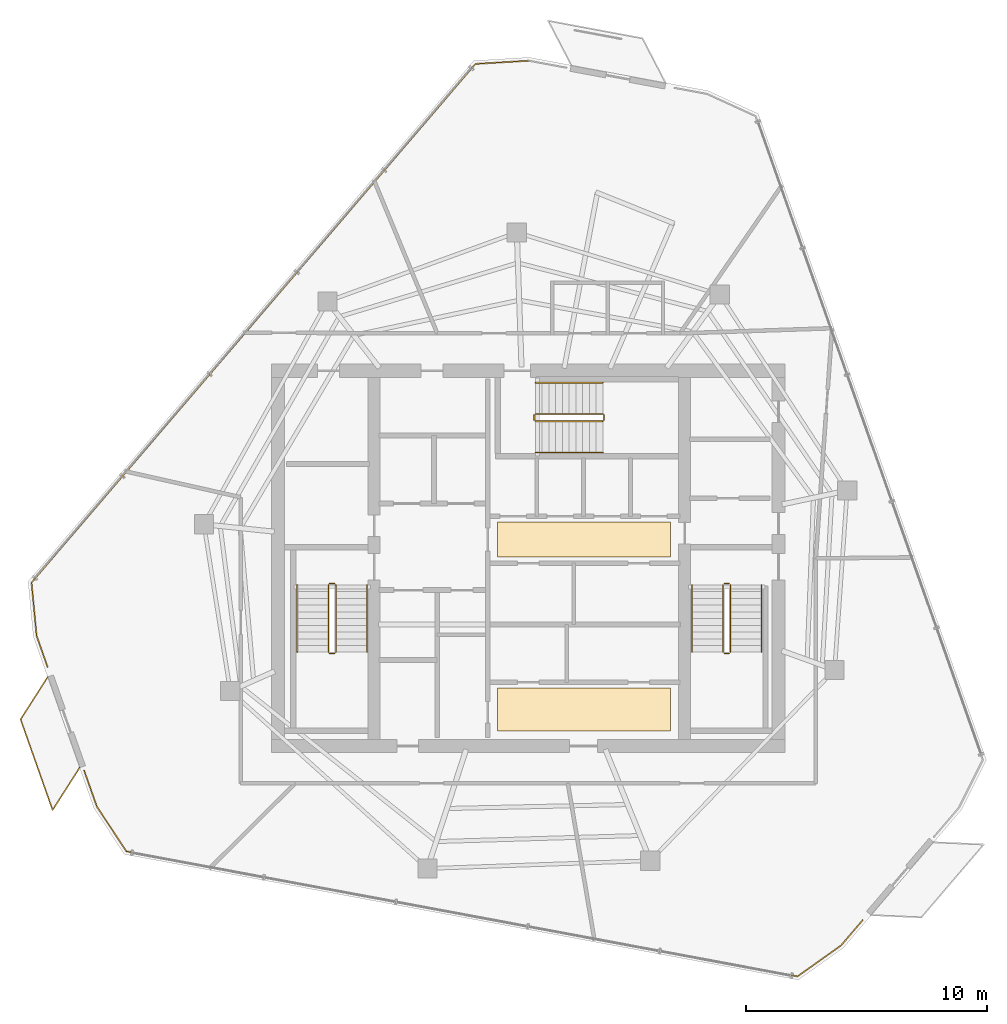
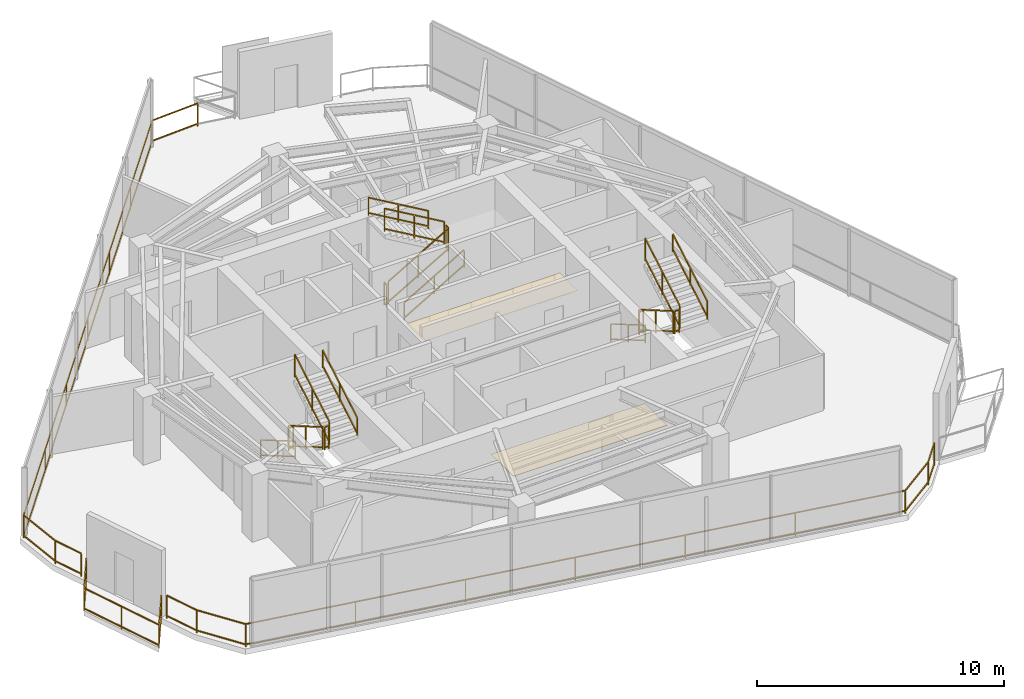
# One storey, part 17 of 18: 21 railings, 2 coverings.
"""IFC4 building model written with IfcOpenShell, lengths in metres."""

from ifc_helpers import new_model, si_unit, direction, frame, origin, origin_2d, place, context, subcontext, project, spatial, rectangle, extrude, material, layer, layer_set, type_object, element, save


model = new_model("IFC4")

# Units and contexts
model_context = context("Model", 3, precision=1e-05, world=origin(), true_north=direction((0.0, 1.0)))
body_context = subcontext(model_context, "Body", "Model", "MODEL_VIEW")
ifc_project = project(units=[si_unit("LENGTHUNIT", "METRE"), si_unit("AREAUNIT", "SQUARE_METRE"), si_unit("VOLUMEUNIT", "CUBIC_METRE"), si_unit("PLANEANGLEUNIT", "RADIAN"), si_unit("MASSUNIT", "GRAM", prefix="KILO")], contexts=[model_context])

# Site, building, storey
site_placement = place(None, origin())
site = spatial("IfcSite", under=ifc_project, at=site_placement, CompositionType="ELEMENT")
building_placement = place(site_placement, origin())
building = spatial("IfcBuilding", under=site, at=building_placement, Name="Qarnah Convention Tower", CompositionType="ELEMENT")
storey_placement = place(building_placement, frame((0.0, 0.0, 253.5)))
storey = spatial("IfcBuildingStorey", under=building, at=storey_placement, Name="L68", CompositionType="ELEMENT", Elevation=253.5)

# Coverings
ifc_material_1 = material(Name="Mineral fibre acoustic ceiling")
ifc_layer_1 = layer(ifc_material_1, 0.02001953125)
ifc_layer_set_1 = layer_set([ifc_layer_1], Name="Mineral fibre acoustic ceiling")
covering_type_1 = type_object("IfcCoveringType", Name="COV-CEIL-20", PredefinedType="CEILING", material=ifc_layer_set_1)
covering_1_placement = place(storey_placement, frame((39.52001953125, 27.179931640625, 2.2900390625), z_axis=(0.0, 0.0, 1.0), x_axis=(1.0, 0.0, 0.0)))
element("IfcCovering", 1, at=covering_1_placement, inside=storey, type_object=covering_type_1, Name="L68 lift lobby acoustic ceiling", PredefinedType="CEILING", context=body_context, shape_type="SweptSolid", body=[
    extrude(rectangle(XDim=7.199951171875, YDim=1.449951171875, at=origin_2d()), origin(), (0.0, 0.0, 1.0), 0.02001953125),
])
ifc_material_2 = material(Name="Porcelain stone floor tile", Category="masonry")
ifc_layer_2 = layer(ifc_material_2, 0.02001953125)
ifc_layer_set_2 = layer_set([ifc_layer_2], Name="Porcelain stone floor tile")
covering_type_2 = type_object("IfcCoveringType", Name="COV-FLOOR-20", PredefinedType="FLOORING", material=ifc_layer_set_2)
covering_2_placement = place(storey_placement, frame((39.52001953125, 20.1201171875, 0.0), z_axis=(0.0, 0.0, 1.0), x_axis=(1.0, 0.0, 0.0)))
element("IfcCovering", 2, at=covering_2_placement, inside=storey, type_object=covering_type_2, Name="L68 lift lobby porcelain stone flooring", PredefinedType="FLOORING", context=body_context, shape_type="SweptSolid", body=[
    extrude(rectangle(XDim=7.199951171875, YDim=1.800048828125, at=origin_2d()), origin(), (0.0, 0.0, 1.0), 0.02001953125),
])

# Railings
ifc_material_3 = material(Name="Black anodised aluminium", Category="aluminium")
railing_type_1 = type_object("IfcRailingType", Name="RL-EXT-GUARD-1150", PredefinedType="GUARDRAIL", material=ifc_material_3)
railing_1_placement = place(storey_placement, frame((51.097900390625, 11.364990234375, 0.0)))
element("IfcRailing", 3, at=railing_1_placement, inside=storey, type_object=railing_type_1, Name="L68 slab-edge perimeter safety guard 03", PredefinedType="GUARDRAIL", context=body_context, shape_type="SweptSolid", body=[
    extrude(rectangle(XDim=0.048095703125, YDim=0.048095703125, at=origin_2d()), frame((0.0, 0.0, 1.1259765625), z_axis=(-0.650267061067, -0.759705699131, 0.0), x_axis=(0.759705699131, -0.650267061067, 0.0)), (0.0, 0.0, 1.0), 1.380859375),
    extrude(rectangle(XDim=0.048095703125, YDim=0.048095703125, at=origin_2d()), frame((0.0, 0.0, 0.1201171875), z_axis=(-0.650267061067, -0.759705699131, 0.0), x_axis=(0.759705699131, -0.650267061067, 0.0)), (0.0, 0.0, 1.0), 1.380859375),
    extrude(rectangle(XDim=0.048095703125, YDim=0.048095703125, at=origin_2d()), frame((-0.89794921875, -1.049072265625, 1.1259765625), z_axis=(-0.815016468028, -0.579437793765, 0.0), x_axis=(0.579437793765, -0.815016468028, 0.0)), (0.0, 0.0, 1.0), 2.220947265625),
    extrude(rectangle(XDim=0.048095703125, YDim=0.048095703125, at=origin_2d()), frame((-0.89794921875, -1.049072265625, 0.1201171875), z_axis=(-0.815016468028, -0.579437793765, 0.0), x_axis=(0.579437793765, -0.815016468028, 0.0)), (0.0, 0.0, 1.0), 2.220947265625),
    extrude(rectangle(XDim=0.048095703125, YDim=0.048095703125, at=origin_2d()), frame((-2.7080078125, -2.3359375, 1.1259765625), z_axis=(-0.983063294931, 0.183266358504, 0.0), x_axis=(-0.183266358504, -0.983063294931, 0.0)), (0.0, 0.0, 1.0), 28.368408203125),
    extrude(rectangle(XDim=0.048095703125, YDim=0.048095703125, at=origin_2d()), frame((-2.7080078125, -2.3359375, 0.1201171875), z_axis=(-0.983063294931, 0.183266358504, 0.0), x_axis=(-0.183266358504, -0.983063294931, 0.0)), (0.0, 0.0, 1.0), 28.368408203125),
    extrude(rectangle(XDim=0.048095703125, YDim=0.048095703125, at=origin_2d()), frame((-30.595947265625, 2.863037109375, 1.1259765625), z_axis=(-0.551117864993, 0.834427407799, 0.0), x_axis=(-0.834427407799, -0.551117864993, 0.0)), (0.0, 0.0, 1.0), 2.220703125),
    extrude(rectangle(XDim=0.048095703125, YDim=0.048095703125, at=origin_2d()), frame((-30.595947265625, 2.863037109375, 0.1201171875), z_axis=(-0.551117864993, 0.834427407799, 0.0), x_axis=(-0.834427407799, -0.551117864993, 0.0)), (0.0, 0.0, 1.0), 2.220703125),
    extrude(rectangle(XDim=0.048095703125, YDim=0.048095703125, at=origin_2d()), frame((-31.81982421875, 4.716064453125, 1.1259765625), z_axis=(-0.332972542443, 0.942936522773, 0.0), x_axis=(-0.942936522773, -0.332972542443, 0.0)), (0.0, 0.0, 1.0), 1.591796875),
    extrude(rectangle(XDim=0.048095703125, YDim=0.048095703125, at=origin_2d()), frame((-31.81982421875, 4.716064453125, 0.1201171875), z_axis=(-0.332972542443, 0.942936522773, 0.0), x_axis=(-0.942936522773, -0.332972542443, 0.0)), (0.0, 0.0, 1.0), 1.591796875),
    extrude(rectangle(XDim=0.0419921875, YDim=0.0419921875, at=origin_2d()), origin(), (0.0, 0.0, 1.0), 1.101806640625),
    extrude(rectangle(XDim=0.0419921875, YDim=0.0419921875, at=origin_2d()), frame((-0.89794921875, -1.049072265625, 0.0)), (0.0, 0.0, 1.0), 1.101806640625),
    extrude(rectangle(XDim=0.0419921875, YDim=0.0419921875, at=origin_2d()), frame((-2.7080078125, -2.3359375, 0.0)), (0.0, 0.0, 1.0), 1.101806640625),
    extrude(rectangle(XDim=0.0419921875, YDim=0.0419921875, at=origin_2d()), frame((-7.35595703125, -1.469482421875, 0.0)), (0.0, 0.0, 1.0), 1.101806640625),
    extrude(rectangle(XDim=0.0419921875, YDim=0.0419921875, at=origin_2d()), frame((-12.00390625, -0.60302734375, 0.0)), (0.0, 0.0, 1.0), 1.101806640625),
    extrude(rectangle(XDim=0.0419921875, YDim=0.0419921875, at=origin_2d()), frame((-16.65185546875, 0.263671875, 0.0)), (0.0, 0.0, 1.0), 1.101806640625),
    extrude(rectangle(XDim=0.0419921875, YDim=0.0419921875, at=origin_2d()), frame((-21.300048828125, 1.130126953125, 0.0)), (0.0, 0.0, 1.0), 1.101806640625),
    extrude(rectangle(XDim=0.0419921875, YDim=0.0419921875, at=origin_2d()), frame((-25.947998046875, 1.99658203125, 0.0)), (0.0, 0.0, 1.0), 1.101806640625),
    extrude(rectangle(XDim=0.0419921875, YDim=0.0419921875, at=origin_2d()), frame((-30.595947265625, 2.863037109375, 0.0)), (0.0, 0.0, 1.0), 1.101806640625),
    extrude(rectangle(XDim=0.0419921875, YDim=0.0419921875, at=origin_2d()), frame((-31.81982421875, 4.716064453125, 0.0)), (0.0, 0.0, 1.0), 1.101806640625),
    extrude(rectangle(XDim=0.0419921875, YDim=0.0419921875, at=origin_2d()), frame((-32.349853515625, 6.217041015625, 0.0)), (0.0, 0.0, 1.0), 1.101806640625),
])
railing_2_placement = place(storey_placement, frame((17.23095703125, 21.881103515625, 0.0)))
element("IfcRailing", 4, at=railing_2_placement, inside=storey, type_object=railing_type_1, Name="L68 slab-edge perimeter safety guard 04", PredefinedType="GUARDRAIL", context=body_context, shape_type="SweptSolid", body=[
    extrude(rectangle(XDim=0.048095703125, YDim=0.048095703125, at=origin_2d()), frame((0.0, 0.0, 1.1259765625), z_axis=(-0.332468581186, 0.943114331629, 0.0), x_axis=(-0.943114331629, -0.332468581186, 0.0)), (0.0, 0.0, 1.0), 1.380615234375),
    extrude(rectangle(XDim=0.048095703125, YDim=0.048095703125, at=origin_2d()), frame((0.0, 0.0, 0.1201171875), z_axis=(-0.332468581186, 0.943114331629, 0.0), x_axis=(-0.943114331629, -0.332468581186, 0.0)), (0.0, 0.0, 1.0), 1.380615234375),
    extrude(rectangle(XDim=0.048095703125, YDim=0.048095703125, at=origin_2d()), frame((-0.458984375, 1.302001953125, 1.1259765625), z_axis=(-0.094975090219, 0.995479649334, 0.0), x_axis=(-0.995479649334, -0.094975090219, 0.0)), (0.0, 0.0, 1.0), 2.220947265625),
    extrude(rectangle(XDim=0.048095703125, YDim=0.048095703125, at=origin_2d()), frame((-0.458984375, 1.302001953125, 0.1201171875), z_axis=(-0.094975090219, 0.995479649334, 0.0), x_axis=(-0.995479649334, -0.094975090219, 0.0)), (0.0, 0.0, 1.0), 2.220947265625),
    extrude(rectangle(XDim=0.048095703125, YDim=0.048095703125, at=origin_2d()), frame((-0.669921875, 3.512939453125, 1.1259765625), z_axis=(0.650243370859, 0.759725976029, 0.0), x_axis=(-0.759725976029, 0.650243370859, 0.0)), (0.0, 0.0, 1.0), 28.369384765625),
    extrude(rectangle(XDim=0.048095703125, YDim=0.048095703125, at=origin_2d()), frame((-0.669921875, 3.512939453125, 0.1201171875), z_axis=(0.650243370859, 0.759725976029, 0.0), x_axis=(-0.759725976029, 0.650243370859, 0.0)), (0.0, 0.0, 1.0), 28.369384765625),
    extrude(rectangle(XDim=0.048095703125, YDim=0.048095703125, at=origin_2d()), frame((17.777099609375, 25.06591796875, 1.1259765625), z_axis=(0.998202346264, 0.059933929571, 0.0), x_axis=(-0.059933929571, 0.998202346264, 0.0)), (0.0, 0.0, 1.0), 2.219970703125),
    extrude(rectangle(XDim=0.048095703125, YDim=0.048095703125, at=origin_2d()), frame((17.777099609375, 25.06591796875, 0.1201171875), z_axis=(0.998202346264, 0.059933929571, 0.0), x_axis=(-0.059933929571, 0.998202346264, 0.0)), (0.0, 0.0, 1.0), 2.219970703125),
    extrude(rectangle(XDim=0.0419921875, YDim=0.0419921875, at=origin_2d()), origin(), (0.0, 0.0, 1.0), 1.101806640625),
    extrude(rectangle(XDim=0.0419921875, YDim=0.0419921875, at=origin_2d()), frame((-0.458984375, 1.302001953125, 0.0)), (0.0, 0.0, 1.0), 1.101806640625),
    extrude(rectangle(XDim=0.0419921875, YDim=0.0419921875, at=origin_2d()), frame((-0.669921875, 3.512939453125, 0.0)), (0.0, 0.0, 1.0), 1.101806640625),
    extrude(rectangle(XDim=0.0419921875, YDim=0.0419921875, at=origin_2d()), frame((2.404541015625, 7.10498046875, 0.0)), (0.0, 0.0, 1.0), 1.101806640625),
    extrude(rectangle(XDim=0.0419921875, YDim=0.0419921875, at=origin_2d()), frame((5.47900390625, 10.697265625, 0.0)), (0.0, 0.0, 1.0), 1.101806640625),
    extrude(rectangle(XDim=0.0419921875, YDim=0.0419921875, at=origin_2d()), frame((8.5537109375, 14.28955078125, 0.0)), (0.0, 0.0, 1.0), 1.101806640625),
    extrude(rectangle(XDim=0.0419921875, YDim=0.0419921875, at=origin_2d()), frame((11.628173828125, 17.881591796875, 0.0)), (0.0, 0.0, 1.0), 1.101806640625),
    extrude(rectangle(XDim=0.0419921875, YDim=0.0419921875, at=origin_2d()), frame((14.70263671875, 21.4736328125, 0.0)), (0.0, 0.0, 1.0), 1.101806640625),
    extrude(rectangle(XDim=0.0419921875, YDim=0.0419921875, at=origin_2d()), frame((17.777099609375, 25.06591796875, 0.0)), (0.0, 0.0, 1.0), 1.101806640625),
    extrude(rectangle(XDim=0.0419921875, YDim=0.0419921875, at=origin_2d()), frame((19.9931640625, 25.198974609375, 0.0)), (0.0, 0.0, 1.0), 1.101806640625),
])
railing_3_placement = place(storey_placement, frame((18.56298828125, 17.700927734375, 0.0)))
element("IfcRailing", 5, at=railing_3_placement, inside=storey, type_object=railing_type_1, Name="L68 balcony safety guard BAL-L68-C2", PredefinedType="GUARDRAIL", context=body_context, shape_type="SweptSolid", body=[
    extrude(rectangle(XDim=0.048095703125, YDim=0.048095703125, at=origin_2d()), frame((0.0, 0.0, 1.1259765625), z_axis=(-0.538391577864, -0.842694789876, 0.0), x_axis=(0.842694789876, -0.538391577864, 0.0)), (0.0, 0.0, 1.0), 2.09326171875),
    extrude(rectangle(XDim=0.048095703125, YDim=0.048095703125, at=origin_2d()), frame((0.0, 0.0, 0.1201171875), z_axis=(-0.538391577864, -0.842694789876, 0.0), x_axis=(0.842694789876, -0.538391577864, 0.0)), (0.0, 0.0, 1.0), 2.09326171875),
    extrude(rectangle(XDim=0.048095703125, YDim=0.048095703125, at=origin_2d()), frame((-1.126953125, -1.763916015625, 1.1259765625), z_axis=(-0.332769034693, 0.943008361336, 0.0), x_axis=(-0.943008361336, -0.332769034693, 0.0)), (0.0, 0.0, 1.0), 4.0),
    extrude(rectangle(XDim=0.048095703125, YDim=0.048095703125, at=origin_2d()), frame((-1.126953125, -1.763916015625, 0.1201171875), z_axis=(-0.332769034693, 0.943008361336, 0.0), x_axis=(-0.943008361336, -0.332769034693, 0.0)), (0.0, 0.0, 1.0), 4.0),
    extrude(rectangle(XDim=0.048095703125, YDim=0.048095703125, at=origin_2d()), frame((-2.4580078125, 2.008056640625, 1.1259765625), z_axis=(0.538391577864, 0.842694789876, 0.0), x_axis=(-0.842694789876, 0.538391577864, 0.0)), (0.0, 0.0, 1.0), 2.09326171875),
    extrude(rectangle(XDim=0.048095703125, YDim=0.048095703125, at=origin_2d()), frame((-2.4580078125, 2.008056640625, 0.1201171875), z_axis=(0.538391577864, 0.842694789876, 0.0), x_axis=(-0.842694789876, 0.538391577864, 0.0)), (0.0, 0.0, 1.0), 2.09326171875),
    extrude(rectangle(XDim=0.0419921875, YDim=0.0419921875, at=origin_2d()), origin(), (0.0, 0.0, 1.0), 1.101806640625),
    extrude(rectangle(XDim=0.0419921875, YDim=0.0419921875, at=origin_2d()), frame((-1.126953125, -1.763916015625, 0.0)), (0.0, 0.0, 1.0), 1.101806640625),
    extrude(rectangle(XDim=0.0419921875, YDim=0.0419921875, at=origin_2d()), frame((-1.79248046875, 0.1220703125, 0.0)), (0.0, 0.0, 1.0), 1.101806640625),
    extrude(rectangle(XDim=0.0419921875, YDim=0.0419921875, at=origin_2d()), frame((-2.4580078125, 2.008056640625, 0.0)), (0.0, 0.0, 1.0), 1.101806640625),
    extrude(rectangle(XDim=0.0419921875, YDim=0.0419921875, at=origin_2d()), frame((-1.3310546875, 3.77197265625, 0.0)), (0.0, 0.0, 1.0), 1.101806640625),
])
ifc_material_4 = material(Name="Structural steel S355JR", Category="steel")
railing_type_2 = type_object("IfcRailingType", Name="RL-STAIR-GUARD-1150", PredefinedType="GUARDRAIL", material=ifc_material_4)
railing_4_placement = place(storey_placement, frame((28.89990234375, 25.300048828125, 0.16357421875)))
element("IfcRailing", 6, at=railing_4_placement, inside=storey, type_object=railing_type_2, Name="L68 ST-1 stair guard 1", PredefinedType="GUARDRAIL", context=body_context, shape_type="SweptSolid", body=[
    extrude(rectangle(XDim=0.048095703125, YDim=0.048095703125, at=origin_2d()), frame((0.0, 0.0, 1.1259765625), z_axis=(0.0, -0.863360870873, 0.504586966384), x_axis=(1.0, 0.0, 0.0)), (0.0, 0.0, 1.0), 3.2431640625),
    extrude(rectangle(XDim=0.048095703125, YDim=0.048095703125, at=origin_2d()), frame((0.0, 0.0, 0.1201171875), z_axis=(0.0, -0.863360870873, 0.504586966384), x_axis=(1.0, 0.0, 0.0)), (0.0, 0.0, 1.0), 3.2431640625),
    extrude(rectangle(XDim=0.0419921875, YDim=0.0419921875, at=origin_2d()), origin(), (0.0, 0.0, 1.0), 1.101806640625),
    extrude(rectangle(XDim=0.0419921875, YDim=0.0419921875, at=origin_2d()), frame((0.0, -1.39990234375, 0.818359375)), (0.0, 0.0, 1.0), 1.101806640625),
    extrude(rectangle(XDim=0.0419921875, YDim=0.0419921875, at=origin_2d()), frame((0.0, -2.800048828125, 1.636474609375)), (0.0, 0.0, 1.0), 1.101806640625),
])
railing_5_placement = place(storey_placement, frame((28.949951171875, 22.449951171875, 1.800048828125)))
element("IfcRailing", 7, at=railing_5_placement, inside=storey, type_object=railing_type_2, Name="L68 ST-1 stair guard 2", PredefinedType="GUARDRAIL", context=body_context, shape_type="SweptSolid", body=[
    extrude(rectangle(XDim=0.048095703125, YDim=0.048095703125, at=origin_2d()), frame((0.0, 0.0, 1.1259765625), z_axis=(1.0, 0.0, 0.0), x_axis=(0.0, 1.0, 0.0)), (0.0, 0.0, 1.0), 0.199951171875),
    extrude(rectangle(XDim=0.048095703125, YDim=0.048095703125, at=origin_2d()), frame((0.0, 0.0, 0.1201171875), z_axis=(1.0, 0.0, 0.0), x_axis=(0.0, 1.0, 0.0)), (0.0, 0.0, 1.0), 0.199951171875),
    extrude(rectangle(XDim=0.0419921875, YDim=0.0419921875, at=origin_2d()), origin(), (0.0, 0.0, 1.0), 1.101806640625),
    extrude(rectangle(XDim=0.0419921875, YDim=0.0419921875, at=origin_2d()), frame((0.199951171875, 0.0, 0.0)), (0.0, 0.0, 1.0), 1.101806640625),
])
railing_6_placement = place(storey_placement, frame((29.199951171875, 22.5, 1.963623046875)))
element("IfcRailing", 8, at=railing_6_placement, inside=storey, type_object=railing_type_2, Name="L68 ST-1 stair guard 3", PredefinedType="GUARDRAIL", context=body_context, shape_type="SweptSolid", body=[
    extrude(rectangle(XDim=0.048095703125, YDim=0.048095703125, at=origin_2d()), frame((0.0, 0.0, 1.1259765625), z_axis=(0.0, 0.863360870873, 0.504586966384), x_axis=(-1.0, 0.0, 0.0)), (0.0, 0.0, 1.0), 3.2431640625),
    extrude(rectangle(XDim=0.048095703125, YDim=0.048095703125, at=origin_2d()), frame((0.0, 0.0, 0.1201171875), z_axis=(0.0, 0.863360870873, 0.504586966384), x_axis=(-1.0, 0.0, 0.0)), (0.0, 0.0, 1.0), 3.2431640625),
    extrude(rectangle(XDim=0.0419921875, YDim=0.0419921875, at=origin_2d()), origin(), (0.0, 0.0, 1.0), 1.101806640625),
    extrude(rectangle(XDim=0.0419921875, YDim=0.0419921875, at=origin_2d()), frame((0.0, 1.39990234375, 0.818359375)), (0.0, 0.0, 1.0), 1.101806640625),
    extrude(rectangle(XDim=0.0419921875, YDim=0.0419921875, at=origin_2d()), frame((0.0, 2.800048828125, 1.636474609375)), (0.0, 0.0, 1.0), 1.101806640625),
])
railing_7_placement = place(storey_placement, frame((28.949951171875, 25.35009765625, 0.0)))
element("IfcRailing", 9, at=railing_7_placement, inside=storey, type_object=railing_type_2, Name="L68 ST-1 stair guard 4", PredefinedType="GUARDRAIL", context=body_context, shape_type="SweptSolid", body=[
    extrude(rectangle(XDim=0.048095703125, YDim=0.048095703125, at=origin_2d()), frame((0.0, 0.0, 1.1259765625), z_axis=(1.0, 0.0, 0.0), x_axis=(0.0, 1.0, 0.0)), (0.0, 0.0, 1.0), 0.199951171875),
    extrude(rectangle(XDim=0.048095703125, YDim=0.048095703125, at=origin_2d()), frame((0.0, 0.0, 0.1201171875), z_axis=(1.0, 0.0, 0.0), x_axis=(0.0, 1.0, 0.0)), (0.0, 0.0, 1.0), 0.199951171875),
    extrude(rectangle(XDim=0.0419921875, YDim=0.0419921875, at=origin_2d()), origin(), (0.0, 0.0, 1.0), 1.101806640625),
    extrude(rectangle(XDim=0.0419921875, YDim=0.0419921875, at=origin_2d()), frame((0.199951171875, 0.0, 0.0)), (0.0, 0.0, 1.0), 1.101806640625),
])
railing_8_placement = place(storey_placement, frame((45.300048828125, 25.300048828125, 0.16357421875)))
element("IfcRailing", 10, at=railing_8_placement, inside=storey, type_object=railing_type_2, Name="L68 ST-2 stair guard 1", PredefinedType="GUARDRAIL", context=body_context, shape_type="SweptSolid", body=[
    extrude(rectangle(XDim=0.048095703125, YDim=0.048095703125, at=origin_2d()), frame((0.0, 0.0, 1.1259765625), z_axis=(0.0, -0.863360870873, 0.504586966384), x_axis=(1.0, 0.0, 0.0)), (0.0, 0.0, 1.0), 3.2431640625),
    extrude(rectangle(XDim=0.048095703125, YDim=0.048095703125, at=origin_2d()), frame((0.0, 0.0, 0.1201171875), z_axis=(0.0, -0.863360870873, 0.504586966384), x_axis=(1.0, 0.0, 0.0)), (0.0, 0.0, 1.0), 3.2431640625),
    extrude(rectangle(XDim=0.0419921875, YDim=0.0419921875, at=origin_2d()), origin(), (0.0, 0.0, 1.0), 1.101806640625),
    extrude(rectangle(XDim=0.0419921875, YDim=0.0419921875, at=origin_2d()), frame((0.0, -1.39990234375, 0.818359375)), (0.0, 0.0, 1.0), 1.101806640625),
    extrude(rectangle(XDim=0.0419921875, YDim=0.0419921875, at=origin_2d()), frame((0.0, -2.800048828125, 1.636474609375)), (0.0, 0.0, 1.0), 1.101806640625),
])
railing_9_placement = place(storey_placement, frame((45.35009765625, 22.449951171875, 1.800048828125)))
element("IfcRailing", 11, at=railing_9_placement, inside=storey, type_object=railing_type_2, Name="L68 ST-2 stair guard 2", PredefinedType="GUARDRAIL", context=body_context, shape_type="SweptSolid", body=[
    extrude(rectangle(XDim=0.048095703125, YDim=0.048095703125, at=origin_2d()), frame((0.0, 0.0, 1.1259765625), z_axis=(1.0, 0.0, 0.0), x_axis=(0.0, 1.0, 0.0)), (0.0, 0.0, 1.0), 0.199951171875),
    extrude(rectangle(XDim=0.048095703125, YDim=0.048095703125, at=origin_2d()), frame((0.0, 0.0, 0.1201171875), z_axis=(1.0, 0.0, 0.0), x_axis=(0.0, 1.0, 0.0)), (0.0, 0.0, 1.0), 0.199951171875),
    extrude(rectangle(XDim=0.0419921875, YDim=0.0419921875, at=origin_2d()), origin(), (0.0, 0.0, 1.0), 1.101806640625),
    extrude(rectangle(XDim=0.0419921875, YDim=0.0419921875, at=origin_2d()), frame((0.199951171875, 0.0, 0.0)), (0.0, 0.0, 1.0), 1.101806640625),
])
railing_10_placement = place(storey_placement, frame((45.60009765625, 22.5, 1.963623046875)))
element("IfcRailing", 12, at=railing_10_placement, inside=storey, type_object=railing_type_2, Name="L68 ST-2 stair guard 3", PredefinedType="GUARDRAIL", context=body_context, shape_type="SweptSolid", body=[
    extrude(rectangle(XDim=0.048095703125, YDim=0.048095703125, at=origin_2d()), frame((0.0, 0.0, 1.1259765625), z_axis=(0.0, 0.863360870873, 0.504586966384), x_axis=(-1.0, 0.0, 0.0)), (0.0, 0.0, 1.0), 3.2431640625),
    extrude(rectangle(XDim=0.048095703125, YDim=0.048095703125, at=origin_2d()), frame((0.0, 0.0, 0.1201171875), z_axis=(0.0, 0.863360870873, 0.504586966384), x_axis=(-1.0, 0.0, 0.0)), (0.0, 0.0, 1.0), 3.2431640625),
    extrude(rectangle(XDim=0.0419921875, YDim=0.0419921875, at=origin_2d()), origin(), (0.0, 0.0, 1.0), 1.101806640625),
    extrude(rectangle(XDim=0.0419921875, YDim=0.0419921875, at=origin_2d()), frame((0.0, 1.39990234375, 0.818359375)), (0.0, 0.0, 1.0), 1.101806640625),
    extrude(rectangle(XDim=0.0419921875, YDim=0.0419921875, at=origin_2d()), frame((0.0, 2.800048828125, 1.636474609375)), (0.0, 0.0, 1.0), 1.101806640625),
])
railing_11_placement = place(storey_placement, frame((45.35009765625, 25.35009765625, 0.0)))
element("IfcRailing", 13, at=railing_11_placement, inside=storey, type_object=railing_type_2, Name="L68 ST-2 stair guard 4", PredefinedType="GUARDRAIL", context=body_context, shape_type="SweptSolid", body=[
    extrude(rectangle(XDim=0.048095703125, YDim=0.048095703125, at=origin_2d()), frame((0.0, 0.0, 1.1259765625), z_axis=(1.0, 0.0, 0.0), x_axis=(0.0, 1.0, 0.0)), (0.0, 0.0, 1.0), 0.199951171875),
    extrude(rectangle(XDim=0.048095703125, YDim=0.048095703125, at=origin_2d()), frame((0.0, 0.0, 0.1201171875), z_axis=(1.0, 0.0, 0.0), x_axis=(0.0, 1.0, 0.0)), (0.0, 0.0, 1.0), 0.199951171875),
    extrude(rectangle(XDim=0.0419921875, YDim=0.0419921875, at=origin_2d()), origin(), (0.0, 0.0, 1.0), 1.101806640625),
    extrude(rectangle(XDim=0.0419921875, YDim=0.0419921875, at=origin_2d()), frame((0.199951171875, 0.0, 0.0)), (0.0, 0.0, 1.0), 1.101806640625),
])
railing_12_placement = place(storey_placement, frame((37.5, 32.10009765625, 0.16357421875)))
element("IfcRailing", 14, at=railing_12_placement, inside=storey, type_object=railing_type_2, Name="L68 ST-3 stair guard 1", PredefinedType="GUARDRAIL", context=body_context, shape_type="SweptSolid", body=[
    extrude(rectangle(XDim=0.048095703125, YDim=0.048095703125, at=origin_2d()), frame((0.0, 0.0, 1.1259765625), z_axis=(0.863360870873, 0.0, 0.504586966384), x_axis=(0.0, 1.0, 0.0)), (0.0, 0.0, 1.0), 3.2431640625),
    extrude(rectangle(XDim=0.048095703125, YDim=0.048095703125, at=origin_2d()), frame((0.0, 0.0, 0.1201171875), z_axis=(0.863360870873, 0.0, 0.504586966384), x_axis=(0.0, 1.0, 0.0)), (0.0, 0.0, 1.0), 3.2431640625),
    extrude(rectangle(XDim=0.0419921875, YDim=0.0419921875, at=origin_2d()), origin(), (0.0, 0.0, 1.0), 1.101806640625),
    extrude(rectangle(XDim=0.0419921875, YDim=0.0419921875, at=origin_2d()), frame((1.39990234375, 0.0, 0.818359375)), (0.0, 0.0, 1.0), 1.101806640625),
    extrude(rectangle(XDim=0.0419921875, YDim=0.0419921875, at=origin_2d()), frame((2.800048828125, 0.0, 1.636474609375)), (0.0, 0.0, 1.0), 1.101806640625),
])
railing_13_placement = place(storey_placement, frame((40.35009765625, 32.14990234375, 1.800048828125)))
element("IfcRailing", 15, at=railing_13_placement, inside=storey, type_object=railing_type_2, Name="L68 ST-3 stair guard 2", PredefinedType="GUARDRAIL", context=body_context, shape_type="SweptSolid", body=[
    extrude(rectangle(XDim=0.048095703125, YDim=0.048095703125, at=origin_2d()), frame((0.0, 0.0, 1.1259765625), z_axis=(0.0, 1.0, 0.0), x_axis=(-1.0, 0.0, 0.0)), (0.0, 0.0, 1.0), 0.2001953125),
    extrude(rectangle(XDim=0.048095703125, YDim=0.048095703125, at=origin_2d()), frame((0.0, 0.0, 0.1201171875), z_axis=(0.0, 1.0, 0.0), x_axis=(-1.0, 0.0, 0.0)), (0.0, 0.0, 1.0), 0.2001953125),
    extrude(rectangle(XDim=0.0419921875, YDim=0.0419921875, at=origin_2d()), origin(), (0.0, 0.0, 1.0), 1.101806640625),
    extrude(rectangle(XDim=0.0419921875, YDim=0.0419921875, at=origin_2d()), frame((0.0, 0.2001953125, 0.0)), (0.0, 0.0, 1.0), 1.101806640625),
])
railing_14_placement = place(storey_placement, frame((40.300048828125, 32.39990234375, 1.963623046875)))
element("IfcRailing", 16, at=railing_14_placement, inside=storey, type_object=railing_type_2, Name="L68 ST-3 stair guard 3", PredefinedType="GUARDRAIL", context=body_context, shape_type="SweptSolid", body=[
    extrude(rectangle(XDim=0.048095703125, YDim=0.048095703125, at=origin_2d()), frame((0.0, 0.0, 1.1259765625), z_axis=(-0.863360870873, 0.0, 0.504586966384), x_axis=(0.0, -1.0, 0.0)), (0.0, 0.0, 1.0), 3.2431640625),
    extrude(rectangle(XDim=0.048095703125, YDim=0.048095703125, at=origin_2d()), frame((0.0, 0.0, 0.1201171875), z_axis=(-0.863360870873, 0.0, 0.504586966384), x_axis=(0.0, -1.0, 0.0)), (0.0, 0.0, 1.0), 3.2431640625),
    extrude(rectangle(XDim=0.0419921875, YDim=0.0419921875, at=origin_2d()), origin(), (0.0, 0.0, 1.0), 1.101806640625),
    extrude(rectangle(XDim=0.0419921875, YDim=0.0419921875, at=origin_2d()), frame((-1.39990234375, 0.0, 0.818359375)), (0.0, 0.0, 1.0), 1.101806640625),
    extrude(rectangle(XDim=0.0419921875, YDim=0.0419921875, at=origin_2d()), frame((-2.800048828125, 0.0, 1.636474609375)), (0.0, 0.0, 1.0), 1.101806640625),
])
railing_15_placement = place(storey_placement, frame((37.449951171875, 32.14990234375, 0.0)))
element("IfcRailing", 17, at=railing_15_placement, inside=storey, type_object=railing_type_2, Name="L68 ST-3 stair guard 4", PredefinedType="GUARDRAIL", context=body_context, shape_type="SweptSolid", body=[
    extrude(rectangle(XDim=0.048095703125, YDim=0.048095703125, at=origin_2d()), frame((0.0, 0.0, 1.1259765625), z_axis=(0.0, 1.0, 0.0), x_axis=(-1.0, 0.0, 0.0)), (0.0, 0.0, 1.0), 0.2001953125),
    extrude(rectangle(XDim=0.048095703125, YDim=0.048095703125, at=origin_2d()), frame((0.0, 0.0, 0.1201171875), z_axis=(0.0, 1.0, 0.0), x_axis=(-1.0, 0.0, 0.0)), (0.0, 0.0, 1.0), 0.2001953125),
    extrude(rectangle(XDim=0.0419921875, YDim=0.0419921875, at=origin_2d()), origin(), (0.0, 0.0, 1.0), 1.101806640625),
    extrude(rectangle(XDim=0.0419921875, YDim=0.0419921875, at=origin_2d()), frame((0.0, 0.2001953125, 0.0)), (0.0, 0.0, 1.0), 1.101806640625),
])
railing_type_3 = type_object("IfcRailingType", Name="RL-STAIR-HAND-900", PredefinedType="HANDRAIL", material=ifc_material_4)
railing_16_placement = place(storey_placement, frame((27.60009765625, 25.300048828125, 0.16357421875)))
element("IfcRailing", 18, at=railing_16_placement, inside=storey, type_object=railing_type_3, Name="L68 ST-1 stair handrail 1", PredefinedType="HANDRAIL", context=body_context, shape_type="SweptSolid", body=[
    extrude(rectangle(XDim=0.048095703125, YDim=0.048095703125, at=origin_2d()), frame((0.0, 0.0, 0.8759765625), z_axis=(0.0, -0.863360870873, 0.504586966384), x_axis=(1.0, 0.0, 0.0)), (0.0, 0.0, 1.0), 3.2431640625),
    extrude(rectangle(XDim=0.048095703125, YDim=0.048095703125, at=origin_2d()), frame((0.0, 0.0, 0.1201171875), z_axis=(0.0, -0.863360870873, 0.504586966384), x_axis=(1.0, 0.0, 0.0)), (0.0, 0.0, 1.0), 3.2431640625),
    extrude(rectangle(XDim=0.0419921875, YDim=0.0419921875, at=origin_2d()), origin(), (0.0, 0.0, 1.0), 0.851806640625),
    extrude(rectangle(XDim=0.0419921875, YDim=0.0419921875, at=origin_2d()), frame((0.0, -1.39990234375, 0.818359375)), (0.0, 0.0, 1.0), 0.851806640625),
    extrude(rectangle(XDim=0.0419921875, YDim=0.0419921875, at=origin_2d()), frame((0.0, -2.800048828125, 1.636474609375)), (0.0, 0.0, 1.0), 0.851806640625),
])
railing_17_placement = place(storey_placement, frame((30.5, 22.5, 1.963623046875)))
element("IfcRailing", 19, at=railing_17_placement, inside=storey, type_object=railing_type_3, Name="L68 ST-1 stair handrail 2", PredefinedType="HANDRAIL", context=body_context, shape_type="SweptSolid", body=[
    extrude(rectangle(XDim=0.048095703125, YDim=0.048095703125, at=origin_2d()), frame((0.0, 0.0, 0.8759765625), z_axis=(0.0, 0.863360870873, 0.504586966384), x_axis=(-1.0, 0.0, 0.0)), (0.0, 0.0, 1.0), 3.2431640625),
    extrude(rectangle(XDim=0.048095703125, YDim=0.048095703125, at=origin_2d()), frame((0.0, 0.0, 0.1201171875), z_axis=(0.0, 0.863360870873, 0.504586966384), x_axis=(-1.0, 0.0, 0.0)), (0.0, 0.0, 1.0), 3.2431640625),
    extrude(rectangle(XDim=0.0419921875, YDim=0.0419921875, at=origin_2d()), origin(), (0.0, 0.0, 1.0), 0.851806640625),
    extrude(rectangle(XDim=0.0419921875, YDim=0.0419921875, at=origin_2d()), frame((0.0, 1.39990234375, 0.818359375)), (0.0, 0.0, 1.0), 0.851806640625),
    extrude(rectangle(XDim=0.0419921875, YDim=0.0419921875, at=origin_2d()), frame((0.0, 2.800048828125, 1.636474609375)), (0.0, 0.0, 1.0), 0.851806640625),
])
railing_18_placement = place(storey_placement, frame((44.0, 25.300048828125, 0.16357421875)))
element("IfcRailing", 20, at=railing_18_placement, inside=storey, type_object=railing_type_3, Name="L68 ST-2 stair handrail 1", PredefinedType="HANDRAIL", context=body_context, shape_type="SweptSolid", body=[
    extrude(rectangle(XDim=0.048095703125, YDim=0.048095703125, at=origin_2d()), frame((0.0, 0.0, 0.8759765625), z_axis=(0.0, -0.863360870873, 0.504586966384), x_axis=(1.0, 0.0, 0.0)), (0.0, 0.0, 1.0), 3.2431640625),
    extrude(rectangle(XDim=0.048095703125, YDim=0.048095703125, at=origin_2d()), frame((0.0, 0.0, 0.1201171875), z_axis=(0.0, -0.863360870873, 0.504586966384), x_axis=(1.0, 0.0, 0.0)), (0.0, 0.0, 1.0), 3.2431640625),
    extrude(rectangle(XDim=0.0419921875, YDim=0.0419921875, at=origin_2d()), origin(), (0.0, 0.0, 1.0), 0.851806640625),
    extrude(rectangle(XDim=0.0419921875, YDim=0.0419921875, at=origin_2d()), frame((0.0, -1.39990234375, 0.818359375)), (0.0, 0.0, 1.0), 0.851806640625),
    extrude(rectangle(XDim=0.0419921875, YDim=0.0419921875, at=origin_2d()), frame((0.0, -2.800048828125, 1.636474609375)), (0.0, 0.0, 1.0), 0.851806640625),
])
railing_19_placement = place(storey_placement, frame((46.89990234375, 22.5, 1.963623046875)))
element("IfcRailing", 21, at=railing_19_placement, inside=storey, type_object=railing_type_3, Name="L68 ST-2 stair handrail 2", PredefinedType="HANDRAIL", context=body_context, shape_type="SweptSolid", body=[
    extrude(rectangle(XDim=0.048095703125, YDim=0.048095703125, at=origin_2d()), frame((0.0, 0.0, 0.8759765625), z_axis=(0.0, 0.863360870873, 0.504586966384), x_axis=(-1.0, 0.0, 0.0)), (0.0, 0.0, 1.0), 3.2431640625),
    extrude(rectangle(XDim=0.048095703125, YDim=0.048095703125, at=origin_2d()), frame((0.0, 0.0, 0.1201171875), z_axis=(0.0, 0.863360870873, 0.504586966384), x_axis=(-1.0, 0.0, 0.0)), (0.0, 0.0, 1.0), 3.2431640625),
    extrude(rectangle(XDim=0.0419921875, YDim=0.0419921875, at=origin_2d()), origin(), (0.0, 0.0, 1.0), 0.851806640625),
    extrude(rectangle(XDim=0.0419921875, YDim=0.0419921875, at=origin_2d()), frame((0.0, 1.39990234375, 0.818359375)), (0.0, 0.0, 1.0), 0.851806640625),
    extrude(rectangle(XDim=0.0419921875, YDim=0.0419921875, at=origin_2d()), frame((0.0, 2.800048828125, 1.636474609375)), (0.0, 0.0, 1.0), 0.851806640625),
])
railing_20_placement = place(storey_placement, frame((37.5, 30.800048828125, 0.16357421875)))
element("IfcRailing", 22, at=railing_20_placement, inside=storey, type_object=railing_type_3, Name="L68 ST-3 stair handrail 1", PredefinedType="HANDRAIL", context=body_context, shape_type="SweptSolid", body=[
    extrude(rectangle(XDim=0.048095703125, YDim=0.048095703125, at=origin_2d()), frame((0.0, 0.0, 0.8759765625), z_axis=(0.863360870873, 0.0, 0.504586966384), x_axis=(0.0, 1.0, 0.0)), (0.0, 0.0, 1.0), 3.2431640625),
    extrude(rectangle(XDim=0.048095703125, YDim=0.048095703125, at=origin_2d()), frame((0.0, 0.0, 0.1201171875), z_axis=(0.863360870873, 0.0, 0.504586966384), x_axis=(0.0, 1.0, 0.0)), (0.0, 0.0, 1.0), 3.2431640625),
    extrude(rectangle(XDim=0.0419921875, YDim=0.0419921875, at=origin_2d()), origin(), (0.0, 0.0, 1.0), 0.851806640625),
    extrude(rectangle(XDim=0.0419921875, YDim=0.0419921875, at=origin_2d()), frame((1.39990234375, 0.0, 0.818359375)), (0.0, 0.0, 1.0), 0.851806640625),
    extrude(rectangle(XDim=0.0419921875, YDim=0.0419921875, at=origin_2d()), frame((2.800048828125, 0.0, 1.636474609375)), (0.0, 0.0, 1.0), 0.851806640625),
])
railing_21_placement = place(storey_placement, frame((40.300048828125, 33.699951171875, 1.963623046875)))
element("IfcRailing", 23, at=railing_21_placement, inside=storey, type_object=railing_type_3, Name="L68 ST-3 stair handrail 2", PredefinedType="HANDRAIL", context=body_context, shape_type="SweptSolid", body=[
    extrude(rectangle(XDim=0.048095703125, YDim=0.048095703125, at=origin_2d()), frame((0.0, 0.0, 0.8759765625), z_axis=(-0.863360870873, 0.0, 0.504586966384), x_axis=(0.0, -1.0, 0.0)), (0.0, 0.0, 1.0), 3.2431640625),
    extrude(rectangle(XDim=0.048095703125, YDim=0.048095703125, at=origin_2d()), frame((0.0, 0.0, 0.1201171875), z_axis=(-0.863360870873, 0.0, 0.504586966384), x_axis=(0.0, -1.0, 0.0)), (0.0, 0.0, 1.0), 3.2431640625),
    extrude(rectangle(XDim=0.0419921875, YDim=0.0419921875, at=origin_2d()), origin(), (0.0, 0.0, 1.0), 0.851806640625),
    extrude(rectangle(XDim=0.0419921875, YDim=0.0419921875, at=origin_2d()), frame((-1.39990234375, 0.0, 0.818359375)), (0.0, 0.0, 1.0), 0.851806640625),
    extrude(rectangle(XDim=0.0419921875, YDim=0.0419921875, at=origin_2d()), frame((-2.800048828125, 0.0, 1.636474609375)), (0.0, 0.0, 1.0), 0.851806640625),
])

save(model, "model.ifc")
